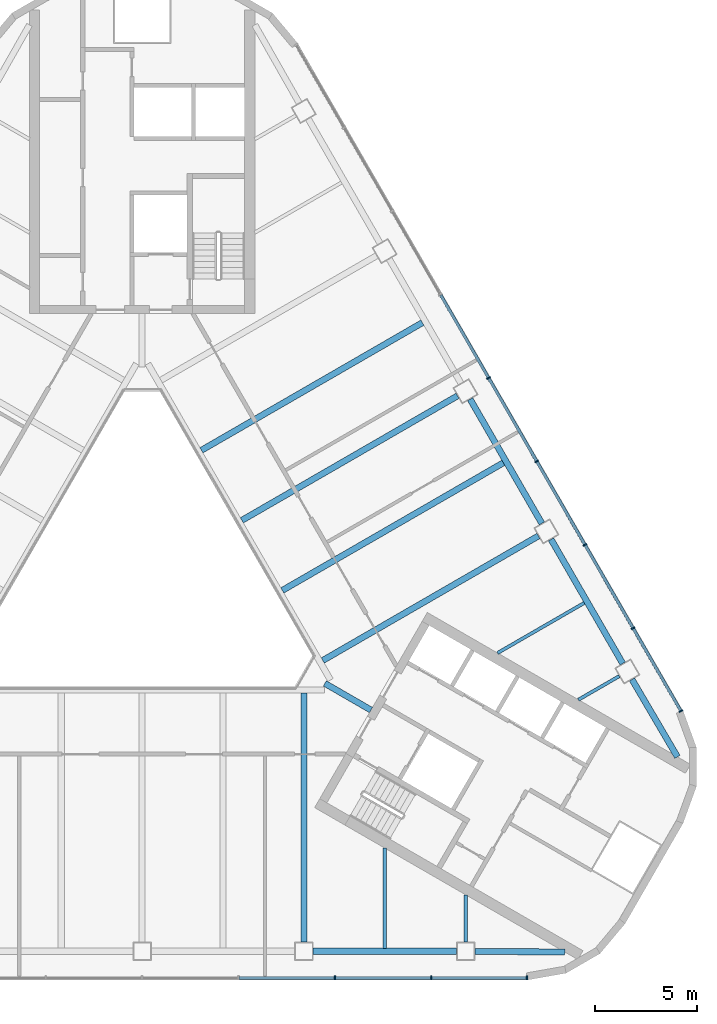
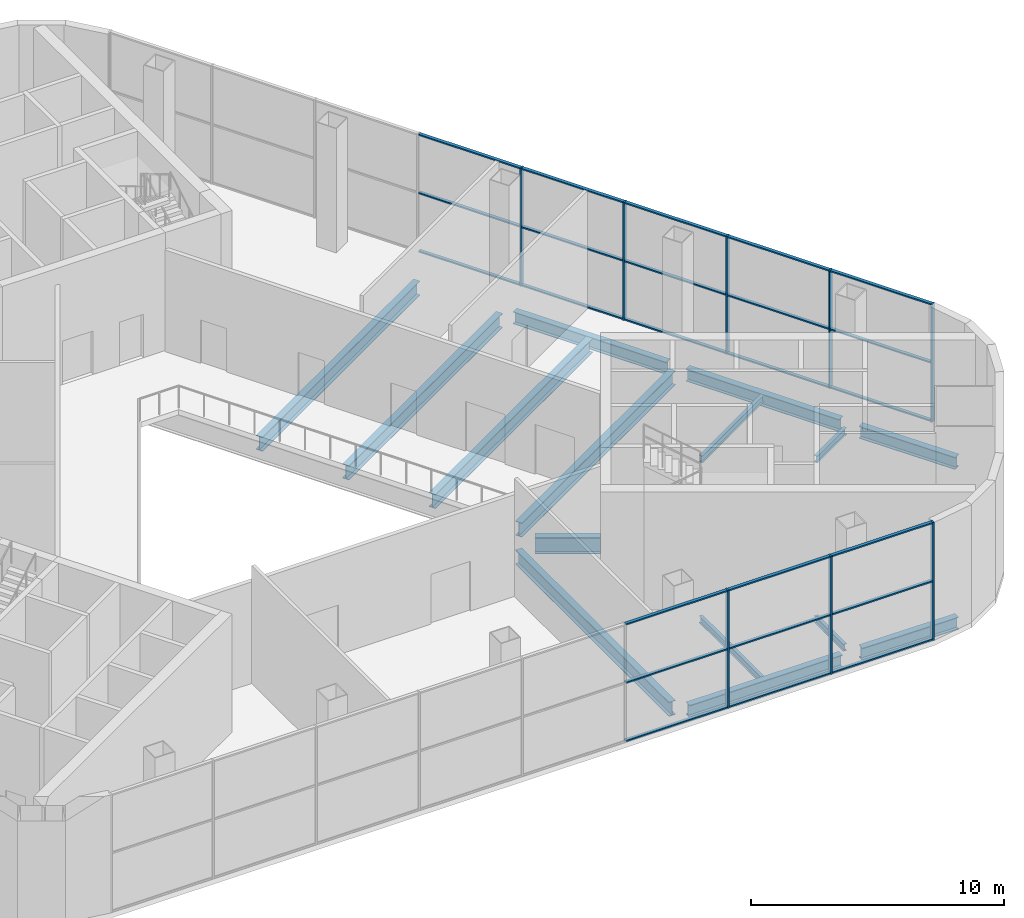
# One storey, part 4 of 14: 32 members, 15 beams, 2 elements without a shape of their own.
"""IFC4 building model written with IfcOpenShell, lengths in metres."""

import ifcopenshell
import ifcopenshell.guid

model = None  # the IFC model being written
_history = None  # IfcOwnerHistory: only IFC2X3 demands one
_inside = {}  # id of a spatial element -> (the spatial element, [elements in it])
_under = {}  # id of a project, library or spatial element -> (it, [spatial elements below it])
_declared = {}  # id of a project -> (the project, [libraries it declares])
_typed = {}  # id of a type object -> (the type object, [elements of that type])
_made_of = {}  # id of a material, layer set ... -> (it, [elements and type objects made of it])


def new_model(schema):
    """Start an empty IFC model of exactly this schema.

    Asked for "IFC4X3", IfcOpenShell would pick the latest addendum, in which some entities
    have other attributes; the version numbers below select the first issue.
    IFC2X3 requires an IfcOwnerHistory on every rooted entity: one is made here for all.
    """
    global model, _history
    if schema == "IFC4X3":
        model = ifcopenshell.file(schema_version=(4, 3, 0, 0))
    else:
        model = ifcopenshell.file(schema=schema)
    _inside.clear()
    _under.clear()
    _declared.clear()
    _typed.clear()
    _made_of.clear()
    _history = None
    if model.schema == "IFC2X3":
        org = make("IfcOrganization", Name="unknown")
        user = make(
            "IfcPersonAndOrganization",
            ThePerson=make("IfcPerson", FamilyName="unknown"),
            TheOrganization=org,
        )
        app = make(
            "IfcApplication",
            ApplicationDeveloper=org,
            Version="unknown",
            ApplicationFullName="unknown",
            ApplicationIdentifier="unknown",
        )
        _history = make(
            "IfcOwnerHistory",
            OwningUser=user,
            OwningApplication=app,
            ChangeAction="ADDED",
            CreationDate=0,
        )
    return model


def make(cls, **values):
    """One entity of the class cls with the attributes given. An attribute that is None is left unset."""
    return model.create_entity(
        cls, **{name: value for name, value in values.items() if value is not None}
    )


def rooted(cls, **values):
    """An entity with a GlobalId (a new one), such as an element, a storey or a relation."""
    return make(cls, GlobalId=ifcopenshell.guid.new(), OwnerHistory=_history, **values)


def si_unit(unit_type, name, prefix=None):
    """IfcSIUnit, for example si_unit("LENGTHUNIT", "METRE", prefix="MILLI")."""
    return make("IfcSIUnit", UnitType=unit_type, Prefix=prefix, Name=name)


def assignment(units):
    """IfcUnitAssignment: the units of a project."""
    return None if units is None else make("IfcUnitAssignment", Units=units)


def point(xyz):
    """IfcCartesianPoint."""
    return None if xyz is None else make("IfcCartesianPoint", Coordinates=xyz)


def direction(xyz):
    """IfcDirection."""
    return None if xyz is None else make("IfcDirection", DirectionRatios=xyz)


def frame(location, z_axis=None, x_axis=None):
    """IfcAxis2Placement3D, a coordinate frame: its origin and axes. An axis left out is left unset."""
    return make(
        "IfcAxis2Placement3D",
        Location=point(location),
        Axis=direction(z_axis),
        RefDirection=direction(x_axis),
    )


def frame_2d(location, x_axis=None):
    """IfcAxis2Placement2D, a coordinate frame in the plane: its origin and x axis."""
    return make(
        "IfcAxis2Placement2D", Location=point(location), RefDirection=direction(x_axis)
    )


def origin():
    """The frame at (0, 0, 0) with its axes left unset."""
    return frame((0.0, 0.0, 0.0))


def origin_2d():
    """The frame at (0, 0) in the plane with its x axis left unset."""
    return frame_2d((0.0, 0.0))


def place(relative_to, where):
    """IfcLocalPlacement: puts the frame where relative to a parent placement (None: the world)."""
    return make(
        "IfcLocalPlacement", PlacementRelTo=relative_to, RelativePlacement=where
    )


def context(
    kind, dimensions, precision=None, world=None, true_north=None, identifier=None
):
    """IfcGeometricRepresentationContext, for example the 3D "Model" context."""
    return make(
        "IfcGeometricRepresentationContext",
        ContextIdentifier=identifier,
        ContextType=kind,
        CoordinateSpaceDimension=dimensions,
        Precision=precision,
        WorldCoordinateSystem=world,
        TrueNorth=true_north,
    )


def subcontext(parent, identifier, kind, view, scale=None):
    """IfcGeometricRepresentationSubContext, for example "Body" below "Model"."""
    return make(
        "IfcGeometricRepresentationSubContext",
        ContextIdentifier=identifier,
        ContextType=kind,
        ParentContext=parent,
        TargetScale=scale,
        TargetView=view,
    )


def project(units=None, contexts=None):
    """IfcProject with its units and contexts."""
    return rooted(
        "IfcProject",
        Name="project",
        RepresentationContexts=contexts,
        UnitsInContext=assignment(units),
    )


def spatial(cls, under=None, at=None, **own):
    """A site, building, storey or space (cls), placed at a placement, below another one or the project."""
    s = rooted(cls, ObjectPlacement=at, **own)
    if under is not None:
        _under.setdefault(under.id(), (under, []))[1].append(s)
    return s


def profile(cls, at=None, kind="AREA", **sizes):
    """A parametric profile (cls). Its sizes go by their IFC names, for example OverallWidth=200.0."""
    return make(cls, ProfileType=kind, Position=at, **sizes)


def rectangle(**sizes):
    """IfcRectangleProfileDef."""
    return profile("IfcRectangleProfileDef", **sizes)


def i_section(**sizes):
    """IfcIShapeProfileDef."""
    return profile("IfcIShapeProfileDef", **sizes)


def extrude(swept, where, along, depth):
    """IfcExtrudedAreaSolid: the profile swept, set in the frame where, extruded along a direction by depth."""
    return make(
        "IfcExtrudedAreaSolid",
        SweptArea=swept,
        Position=where,
        ExtrudedDirection=direction(along),
        Depth=depth,
    )


def shape(context_of_items, identifier, shape_type, items):
    """IfcShapeRepresentation: the items that make up one representation, for example the "Body"."""
    return make(
        "IfcShapeRepresentation",
        ContextOfItems=context_of_items,
        RepresentationIdentifier=identifier,
        RepresentationType=shape_type,
        Items=items,
    )


def material(Name=None, Category=None):
    """IfcMaterial."""
    return make("IfcMaterial", Name=Name, Category=Category)


def layer(
    of_material, thickness, ventilated=None, Name=None, Category=None, Priority=None
):
    """IfcMaterialLayer: one layer of a wall or slab, of a material (None: an air gap)."""
    return make(
        "IfcMaterialLayer",
        Material=of_material,
        LayerThickness=thickness,
        IsVentilated=ventilated,
        Name=Name,
        Category=Category,
        Priority=Priority,
    )


def layer_set(layers, Name=None):
    """IfcMaterialLayerSet."""
    return make("IfcMaterialLayerSet", MaterialLayers=layers, LayerSetName=Name)


def material_profile(
    of_material, cross_section, Name=None, Category=None, Priority=None
):
    """IfcMaterialProfile: a cross section and its material."""
    return make(
        "IfcMaterialProfile",
        Name=Name,
        Material=of_material,
        Profile=cross_section,
        Priority=Priority,
        Category=Category,
    )


def profile_set(profiles, Name=None, composite=None):
    """IfcMaterialProfileSet."""
    return make(
        "IfcMaterialProfileSet",
        Name=Name,
        MaterialProfiles=profiles,
        CompositeProfile=composite,
    )


def made_of(thing, what):
    """Note that an element or type object is made of a material, layer set ...; save() writes the relation."""
    if what is not None:
        _made_of.setdefault(what.id(), (what, []))[1].append(thing)
    return thing


def type_object(cls, material=None, **own):
    """A type object (cls), such as IfcWallType, which elements share."""
    return made_of(rooted(cls, **own), material)


def element(
    cls,
    number,
    at=None,
    inside=None,
    cuts=None,
    type_object=None,
    material=None,
    context=None,
    identifier="Body",
    shape_type=None,
    held_by="IfcProductDefinitionShape",
    body=None,
    shapes=None,
    **own,
):
    """One element of the class cls, such as IfcWall. Its Tag is "e" and its number.

    at: its placement. inside: the storey or other place that contains it. cuts: it is an
    opening in that element (IfcRelVoidsElement). A single representation is given by context,
    identifier, shape_type and body (its items); several are given by shapes. held_by: the class
    of the entity that holds the representations. save() writes the other relations.
    """
    e = rooted(cls, Tag="e%d" % number, ObjectPlacement=at, **own)
    if body is not None:
        shapes = [shape(context, identifier, shape_type, body)]
    if shapes is not None:
        e.Representation = make(held_by, Representations=shapes)
    if inside is not None:
        _inside.setdefault(inside.id(), (inside, []))[1].append(e)
    if cuts is not None:
        rooted(
            "IfcRelVoidsElement", RelatingBuildingElement=cuts, RelatedOpeningElement=e
        )
    if type_object is not None:
        _typed.setdefault(type_object.id(), (type_object, []))[1].append(e)
    return made_of(e, material)


def aggregate(whole, parts):
    """IfcRelAggregates: a whole, such as a stair, and the parts it consists of."""
    return rooted("IfcRelAggregates", RelatingObject=whole, RelatedObjects=parts)


def save(model, path):
    """Write the relations noted so far, then the file.

    IfcRelAggregates (storeys below a building ...), IfcRelContainedInSpatialStructure (elements
    in a storey), IfcRelDefinesByType, IfcRelAssociatesMaterial and IfcRelDeclares: one each for
    every whole, place, type object, material and project.
    """
    for whole, parts in _under.values():
        aggregate(whole, parts)
    for where, things in _inside.values():
        rooted(
            "IfcRelContainedInSpatialStructure",
            RelatedElements=things,
            RelatingStructure=where,
        )
    for kind, things in _typed.values():
        rooted("IfcRelDefinesByType", RelatedObjects=things, RelatingType=kind)
    for what, things in _made_of.values():
        rooted("IfcRelAssociatesMaterial", RelatedObjects=things, RelatingMaterial=what)
    for by, libraries in _declared.values():
        rooted("IfcRelDeclares", RelatingContext=by, RelatedDefinitions=libraries)
    model.write(path)


model = new_model("IFC4")

# Units and contexts
model_context = context("Model", 3, precision=1e-05, world=origin(), true_north=direction((0.0, 1.0)))
body_context = subcontext(model_context, "Body", "Model", "MODEL_VIEW")
ifc_project = project(units=[si_unit("LENGTHUNIT", "METRE"), si_unit("AREAUNIT", "SQUARE_METRE"), si_unit("VOLUMEUNIT", "CUBIC_METRE"), si_unit("PLANEANGLEUNIT", "RADIAN"), si_unit("MASSUNIT", "GRAM", prefix="KILO")], contexts=[model_context])

# Site, building, storey
site_placement = place(None, origin())
site = spatial("IfcSite", under=ifc_project, at=site_placement, CompositionType="ELEMENT")
building_placement = place(site_placement, origin())
building = spatial("IfcBuilding", under=site, at=building_placement, Name="Apuvela Tower Hotel", CompositionType="ELEMENT")
storey_placement = place(building_placement, frame((0.0, 0.0, 131.60009765625)))
storey = spatial("IfcBuildingStorey", under=building, at=storey_placement, Name="L31", CompositionType="ELEMENT", Elevation=131.60009765625)

# Curtain wall, members
ifc_material_1 = material(Name="Aluminium 6063-T6, dark bronze anodised", Category="aluminium")
ifc_layer = layer(ifc_material_1, 0.199951171875)
ifc_layer_set = layer_set([ifc_layer], Name="ENV-CW-S")
curtain_wall_type = type_object("IfcCurtainWallType", Name="ENV-CW-S", PredefinedType="NOTDEFINED", material=ifc_layer_set)
curtain_wall_1_placement = place(storey_placement, origin())
curtain_wall_1 = element("IfcCurtainWall", 1, at=curtain_wall_1_placement, inside=storey, type_object=curtain_wall_type, Name="Curtain wall CW-S S L31", PredefinedType="NOTDEFINED")
ifc_material_profile_1 = material_profile(ifc_material_1, rectangle(XDim=0.199951171875, YDim=0.06494140625, at=origin_2d()), Name="AL 65x200")
ifc_profile_set_1 = profile_set([ifc_material_profile_1], Name="Aluminium 6063-T6, dark bronze anodised")
member_type_1 = type_object("IfcMemberType", Name="ENV-MULLION-65x200", PredefinedType="MULLION", material=ifc_profile_set_1)
member_1_placement = place(storey_placement, frame((9.407958984375, -19.530029296875, 0.0), z_axis=(0.0, 0.0, 1.0), x_axis=(0.0, 1.0, 0.0)))
member_1 = element("IfcMember", 2, at=member_1_placement, type_object=member_type_1, Name="CW-S mullion 7", PredefinedType="MULLION", context=body_context, shape_type="SweptSolid", body=[
    extrude(rectangle(XDim=0.199951171875, YDim=0.06494140625, at=origin_2d()), origin(), (0.0, 0.0, 1.0), 5.699951171875),
])
member_2_placement = place(storey_placement, frame((14.11181640625, -19.530029296875, 0.0), z_axis=(0.0, 0.0, 1.0), x_axis=(0.0, 1.0, 0.0)))
member_2 = element("IfcMember", 3, at=member_2_placement, type_object=member_type_1, Name="CW-S mullion 8", PredefinedType="MULLION", context=body_context, shape_type="SweptSolid", body=[
    extrude(rectangle(XDim=0.199951171875, YDim=0.06494140625, at=origin_2d()), origin(), (0.0, 0.0, 1.0), 5.699951171875),
])
member_3_placement = place(storey_placement, frame((18.783203125, -19.530029296875, 0.0), z_axis=(0.0, 0.0, 1.0), x_axis=(0.0, 1.0, 0.0)))
member_3 = element("IfcMember", 4, at=member_3_placement, type_object=member_type_1, Name="CW-S mullion 9", PredefinedType="MULLION", context=body_context, shape_type="SweptSolid", body=[
    extrude(rectangle(XDim=0.199951171875, YDim=0.06494140625, at=origin_2d()), origin(), (0.0, 0.0, 1.0), 5.699951171875),
])

curtain_wall_2_placement = place(storey_placement, origin())
curtain_wall_2 = element("IfcCurtainWall", 5, at=curtain_wall_2_placement, inside=storey, type_object=curtain_wall_type, Name="Curtain wall CW-S NE L31", PredefinedType="NOTDEFINED")
member_4_placement = place(storey_placement, frame((26.30517578125, -6.501953125, 0.0), z_axis=(0.0, 0.0, 1.0), x_axis=(-0.866025924721, -0.49999909771, 0.0)))
member_4 = element("IfcMember", 6, at=member_4_placement, type_object=member_type_1, Name="CW-S mullion 1", PredefinedType="MULLION", context=body_context, shape_type="SweptSolid", body=[
    extrude(rectangle(XDim=0.199951171875, YDim=0.06494140625, at=origin_2d()), origin(), (0.0, 0.0, 1.0), 5.699951171875),
])
member_5_placement = place(storey_placement, frame((23.969482421875, -2.456298828125, 0.0), z_axis=(0.0, 0.0, 1.0), x_axis=(-0.866025924721, -0.49999909771, 0.0)))
member_5 = element("IfcMember", 7, at=member_5_placement, type_object=member_type_1, Name="CW-S mullion 2", PredefinedType="MULLION", context=body_context, shape_type="SweptSolid", body=[
    extrude(rectangle(XDim=0.199951171875, YDim=0.06494140625, at=origin_2d()), origin(), (0.0, 0.0, 1.0), 5.699951171875),
])
member_6_placement = place(storey_placement, frame((21.617431640625, 1.617431640625, 0.0), z_axis=(0.0, 0.0, 1.0), x_axis=(-0.866025924721, -0.49999909771, 0.0)))
member_6 = element("IfcMember", 8, at=member_6_placement, type_object=member_type_1, Name="CW-S mullion 3", PredefinedType="MULLION", context=body_context, shape_type="SweptSolid", body=[
    extrude(rectangle(XDim=0.199951171875, YDim=0.06494140625, at=origin_2d()), origin(), (0.0, 0.0, 1.0), 5.699951171875),
])
member_7_placement = place(storey_placement, frame((19.265380859375, 5.691162109375, 0.0), z_axis=(0.0, 0.0, 1.0), x_axis=(-0.866025924721, -0.49999909771, 0.0)))
member_7 = element("IfcMember", 9, at=member_7_placement, type_object=member_type_1, Name="CW-S mullion 4", PredefinedType="MULLION", context=body_context, shape_type="SweptSolid", body=[
    extrude(rectangle(XDim=0.199951171875, YDim=0.06494140625, at=origin_2d()), origin(), (0.0, 0.0, 1.0), 5.699951171875),
])
member_8_placement = place(storey_placement, frame((16.91357421875, 9.764892578125, 0.0), z_axis=(0.0, 0.0, 1.0), x_axis=(-0.866025924721, -0.49999909771, 0.0)))
member_8 = element("IfcMember", 10, at=member_8_placement, type_object=member_type_1, Name="CW-S mullion 5", PredefinedType="MULLION", context=body_context, shape_type="SweptSolid", body=[
    extrude(rectangle(XDim=0.199951171875, YDim=0.06494140625, at=origin_2d()), origin(), (0.0, 0.0, 1.0), 5.699951171875),
])

# Member
ifc_material_profile_2 = material_profile(ifc_material_1, rectangle(XDim=0.14990234375, YDim=0.06494140625, at=origin_2d()), Name="AL 65x150 transom")
ifc_profile_set_2 = profile_set([ifc_material_profile_2], Name="Aluminium 6063-T6, dark bronze anodised")
member_type_2 = type_object("IfcMemberType", Name="ENV-TRANSOM-65x150", PredefinedType="USERDEFINED", material=ifc_profile_set_2)
member_9_placement = place(storey_placement, frame((4.736328125, -19.530029296875, 0.032470703125), z_axis=(1.0, 0.0, 0.0), x_axis=(0.0, 1.0, 0.0)))
member_9 = element("IfcMember", 11, at=member_9_placement, type_object=member_type_2, Name="CW-S transom 6.1", ObjectType="TRANSOM", PredefinedType="USERDEFINED", context=body_context, shape_type="SweptSolid", body=[
    extrude(rectangle(XDim=0.14990234375, YDim=0.06494140625, at=origin_2d()), origin(), (0.0, 0.0, 1.0), 4.63916015625),
])

member_10_placement = place(storey_placement, frame((4.736328125, -19.530029296875, 2.849853515625), z_axis=(1.0, 0.0, 0.0), x_axis=(0.0, 1.0, 0.0)))
member_10 = element("IfcMember", 12, at=member_10_placement, type_object=member_type_2, Name="CW-S transom 6.2", ObjectType="TRANSOM", PredefinedType="USERDEFINED", context=body_context, shape_type="SweptSolid", body=[
    extrude(rectangle(XDim=0.14990234375, YDim=0.06494140625, at=origin_2d()), origin(), (0.0, 0.0, 1.0), 4.63916015625),
])

member_11_placement = place(storey_placement, frame((4.736328125, -19.530029296875, 5.66748046875), z_axis=(1.0, 0.0, 0.0), x_axis=(0.0, 1.0, 0.0)))
member_11 = element("IfcMember", 13, at=member_11_placement, type_object=member_type_2, Name="CW-S transom 6.3", ObjectType="TRANSOM", PredefinedType="USERDEFINED", context=body_context, shape_type="SweptSolid", body=[
    extrude(rectangle(XDim=0.14990234375, YDim=0.06494140625, at=origin_2d()), origin(), (0.0, 0.0, 1.0), 4.63916015625),
])

member_12_placement = place(storey_placement, frame((9.4404296875, -19.530029296875, 0.032470703125), z_axis=(1.0, 0.0, 0.0), x_axis=(0.0, 1.0, 0.0)))
member_12 = element("IfcMember", 14, at=member_12_placement, type_object=member_type_2, Name="CW-S transom 7.1", ObjectType="TRANSOM", PredefinedType="USERDEFINED", context=body_context, shape_type="SweptSolid", body=[
    extrude(rectangle(XDim=0.14990234375, YDim=0.06494140625, at=origin_2d()), origin(), (0.0, 0.0, 1.0), 4.638916015625),
])

member_13_placement = place(storey_placement, frame((9.4404296875, -19.530029296875, 2.849853515625), z_axis=(1.0, 0.0, 0.0), x_axis=(0.0, 1.0, 0.0)))
member_13 = element("IfcMember", 15, at=member_13_placement, type_object=member_type_2, Name="CW-S transom 7.2", ObjectType="TRANSOM", PredefinedType="USERDEFINED", context=body_context, shape_type="SweptSolid", body=[
    extrude(rectangle(XDim=0.14990234375, YDim=0.06494140625, at=origin_2d()), origin(), (0.0, 0.0, 1.0), 4.638916015625),
])

member_14_placement = place(storey_placement, frame((9.4404296875, -19.530029296875, 5.66748046875), z_axis=(1.0, 0.0, 0.0), x_axis=(0.0, 1.0, 0.0)))
member_14 = element("IfcMember", 16, at=member_14_placement, type_object=member_type_2, Name="CW-S transom 7.3", ObjectType="TRANSOM", PredefinedType="USERDEFINED", context=body_context, shape_type="SweptSolid", body=[
    extrude(rectangle(XDim=0.14990234375, YDim=0.06494140625, at=origin_2d()), origin(), (0.0, 0.0, 1.0), 4.638916015625),
])

member_15_placement = place(storey_placement, frame((14.144287109375, -19.530029296875, 0.032470703125), z_axis=(1.0, 0.0, 0.0), x_axis=(0.0, 1.0, 0.0)))
member_15 = element("IfcMember", 17, at=member_15_placement, type_object=member_type_2, Name="CW-S transom 8.1", ObjectType="TRANSOM", PredefinedType="USERDEFINED", context=body_context, shape_type="SweptSolid", body=[
    extrude(rectangle(XDim=0.14990234375, YDim=0.06494140625, at=origin_2d()), origin(), (0.0, 0.0, 1.0), 4.6064453125),
])

member_16_placement = place(storey_placement, frame((14.144287109375, -19.530029296875, 2.849853515625), z_axis=(1.0, 0.0, 0.0), x_axis=(0.0, 1.0, 0.0)))
member_16 = element("IfcMember", 18, at=member_16_placement, type_object=member_type_2, Name="CW-S transom 8.2", ObjectType="TRANSOM", PredefinedType="USERDEFINED", context=body_context, shape_type="SweptSolid", body=[
    extrude(rectangle(XDim=0.14990234375, YDim=0.06494140625, at=origin_2d()), origin(), (0.0, 0.0, 1.0), 4.6064453125),
])

member_17_placement = place(storey_placement, frame((14.144287109375, -19.530029296875, 5.66748046875), z_axis=(1.0, 0.0, 0.0), x_axis=(0.0, 1.0, 0.0)))
member_17 = element("IfcMember", 19, at=member_17_placement, type_object=member_type_2, Name="CW-S transom 8.3", ObjectType="TRANSOM", PredefinedType="USERDEFINED", context=body_context, shape_type="SweptSolid", body=[
    extrude(rectangle(XDim=0.14990234375, YDim=0.06494140625, at=origin_2d()), origin(), (0.0, 0.0, 1.0), 4.6064453125),
])

aggregate(curtain_wall_1, [member_1, member_2, member_3, member_9, member_10, member_11, member_12, member_13, member_14, member_15, member_16, member_17])

member_18_placement = place(storey_placement, frame((26.288818359375, -6.4736328125, 0.032470703125), z_axis=(-0.500003839917, 0.866023186796, 0.0), x_axis=(-0.866023186796, -0.500003839917, 0.0)))
member_18 = element("IfcMember", 20, at=member_18_placement, type_object=member_type_2, Name="CW-S transom 1.1", ObjectType="TRANSOM", PredefinedType="USERDEFINED", context=body_context, shape_type="SweptSolid", body=[
    extrude(rectangle(XDim=0.14990234375, YDim=0.06494140625, at=origin_2d()), origin(), (0.0, 0.0, 1.0), 4.6064453125),
])

member_19_placement = place(storey_placement, frame((26.288818359375, -6.4736328125, 2.849853515625), z_axis=(-0.500003839917, 0.866023186796, 0.0), x_axis=(-0.866023186796, -0.500003839917, 0.0)))
member_19 = element("IfcMember", 21, at=member_19_placement, type_object=member_type_2, Name="CW-S transom 1.2", ObjectType="TRANSOM", PredefinedType="USERDEFINED", context=body_context, shape_type="SweptSolid", body=[
    extrude(rectangle(XDim=0.14990234375, YDim=0.06494140625, at=origin_2d()), origin(), (0.0, 0.0, 1.0), 4.6064453125),
])

member_20_placement = place(storey_placement, frame((26.288818359375, -6.4736328125, 5.66748046875), z_axis=(-0.500003839917, 0.866023186796, 0.0), x_axis=(-0.866023186796, -0.500003839917, 0.0)))
member_20 = element("IfcMember", 22, at=member_20_placement, type_object=member_type_2, Name="CW-S transom 1.3", ObjectType="TRANSOM", PredefinedType="USERDEFINED", context=body_context, shape_type="SweptSolid", body=[
    extrude(rectangle(XDim=0.14990234375, YDim=0.06494140625, at=origin_2d()), origin(), (0.0, 0.0, 1.0), 4.6064453125),
])

member_21_placement = place(storey_placement, frame((23.953125, -2.42822265625, 0.032470703125), z_axis=(-0.49996542187, 0.866045366557, 0.0), x_axis=(-0.866045366557, -0.49996542187, 0.0)))
member_21 = element("IfcMember", 23, at=member_21_placement, type_object=member_type_2, Name="CW-S transom 2.1", ObjectType="TRANSOM", PredefinedType="USERDEFINED", context=body_context, shape_type="SweptSolid", body=[
    extrude(rectangle(XDim=0.14990234375, YDim=0.06494140625, at=origin_2d()), origin(), (0.0, 0.0, 1.0), 4.638916015625),
])

member_22_placement = place(storey_placement, frame((23.953125, -2.42822265625, 2.849853515625), z_axis=(-0.49996542187, 0.866045366557, 0.0), x_axis=(-0.866045366557, -0.49996542187, 0.0)))
member_22 = element("IfcMember", 24, at=member_22_placement, type_object=member_type_2, Name="CW-S transom 2.2", ObjectType="TRANSOM", PredefinedType="USERDEFINED", context=body_context, shape_type="SweptSolid", body=[
    extrude(rectangle(XDim=0.14990234375, YDim=0.06494140625, at=origin_2d()), origin(), (0.0, 0.0, 1.0), 4.638916015625),
])

member_23_placement = place(storey_placement, frame((23.953125, -2.42822265625, 5.66748046875), z_axis=(-0.49996542187, 0.866045366557, 0.0), x_axis=(-0.866045366557, -0.49996542187, 0.0)))
member_23 = element("IfcMember", 25, at=member_23_placement, type_object=member_type_2, Name="CW-S transom 2.3", ObjectType="TRANSOM", PredefinedType="USERDEFINED", context=body_context, shape_type="SweptSolid", body=[
    extrude(rectangle(XDim=0.14990234375, YDim=0.06494140625, at=origin_2d()), origin(), (0.0, 0.0, 1.0), 4.638916015625),
])

member_24_placement = place(storey_placement, frame((21.601318359375, 1.645751953125, 0.032470703125), z_axis=(-0.500027682067, 0.866009420946, 0.0), x_axis=(-0.866009420946, -0.500027682067, 0.0)))
member_24 = element("IfcMember", 26, at=member_24_placement, type_object=member_type_2, Name="CW-S transom 3.1", ObjectType="TRANSOM", PredefinedType="USERDEFINED", context=body_context, shape_type="SweptSolid", body=[
    extrude(rectangle(XDim=0.14990234375, YDim=0.06494140625, at=origin_2d()), origin(), (0.0, 0.0, 1.0), 4.638916015625),
])

member_25_placement = place(storey_placement, frame((21.601318359375, 1.645751953125, 2.849853515625), z_axis=(-0.500027682067, 0.866009420946, 0.0), x_axis=(-0.866009420946, -0.500027682067, 0.0)))
member_25 = element("IfcMember", 27, at=member_25_placement, type_object=member_type_2, Name="CW-S transom 3.2", ObjectType="TRANSOM", PredefinedType="USERDEFINED", context=body_context, shape_type="SweptSolid", body=[
    extrude(rectangle(XDim=0.14990234375, YDim=0.06494140625, at=origin_2d()), origin(), (0.0, 0.0, 1.0), 4.638916015625),
])

member_26_placement = place(storey_placement, frame((21.601318359375, 1.645751953125, 5.66748046875), z_axis=(-0.500027682067, 0.866009420946, 0.0), x_axis=(-0.866009420946, -0.500027682067, 0.0)))
member_26 = element("IfcMember", 28, at=member_26_placement, type_object=member_type_2, Name="CW-S transom 3.3", ObjectType="TRANSOM", PredefinedType="USERDEFINED", context=body_context, shape_type="SweptSolid", body=[
    extrude(rectangle(XDim=0.14990234375, YDim=0.06494140625, at=origin_2d()), origin(), (0.0, 0.0, 1.0), 4.638916015625),
])

member_27_placement = place(storey_placement, frame((19.249267578125, 5.719482421875, 0.032470703125), z_axis=(-0.500027682067, 0.866009420946, 0.0), x_axis=(-0.866009420946, -0.500027682067, 0.0)))
member_27 = element("IfcMember", 29, at=member_27_placement, type_object=member_type_2, Name="CW-S transom 4.1", ObjectType="TRANSOM", PredefinedType="USERDEFINED", context=body_context, shape_type="SweptSolid", body=[
    extrude(rectangle(XDim=0.14990234375, YDim=0.06494140625, at=origin_2d()), origin(), (0.0, 0.0, 1.0), 4.638916015625),
])

member_28_placement = place(storey_placement, frame((19.249267578125, 5.719482421875, 2.849853515625), z_axis=(-0.500027682067, 0.866009420946, 0.0), x_axis=(-0.866009420946, -0.500027682067, 0.0)))
member_28 = element("IfcMember", 30, at=member_28_placement, type_object=member_type_2, Name="CW-S transom 4.2", ObjectType="TRANSOM", PredefinedType="USERDEFINED", context=body_context, shape_type="SweptSolid", body=[
    extrude(rectangle(XDim=0.14990234375, YDim=0.06494140625, at=origin_2d()), origin(), (0.0, 0.0, 1.0), 4.638916015625),
])

member_29_placement = place(storey_placement, frame((19.249267578125, 5.719482421875, 5.66748046875), z_axis=(-0.500027682067, 0.866009420946, 0.0), x_axis=(-0.866009420946, -0.500027682067, 0.0)))
member_29 = element("IfcMember", 31, at=member_29_placement, type_object=member_type_2, Name="CW-S transom 4.3", ObjectType="TRANSOM", PredefinedType="USERDEFINED", context=body_context, shape_type="SweptSolid", body=[
    extrude(rectangle(XDim=0.14990234375, YDim=0.06494140625, at=origin_2d()), origin(), (0.0, 0.0, 1.0), 4.638916015625),
])

member_30_placement = place(storey_placement, frame((16.897216796875, 9.793212890625, 0.032470703125), z_axis=(-0.499988210251, 0.866032210492, 0.0), x_axis=(-0.866032210492, -0.499988210251, 0.0)))
member_30 = element("IfcMember", 32, at=member_30_placement, type_object=member_type_2, Name="CW-S transom 5.1", ObjectType="TRANSOM", PredefinedType="USERDEFINED", context=body_context, shape_type="SweptSolid", body=[
    extrude(rectangle(XDim=0.14990234375, YDim=0.06494140625, at=origin_2d()), origin(), (0.0, 0.0, 1.0), 4.638671875),
])

member_31_placement = place(storey_placement, frame((16.897216796875, 9.793212890625, 2.849853515625), z_axis=(-0.499988210251, 0.866032210492, 0.0), x_axis=(-0.866032210492, -0.499988210251, 0.0)))
member_31 = element("IfcMember", 33, at=member_31_placement, type_object=member_type_2, Name="CW-S transom 5.2", ObjectType="TRANSOM", PredefinedType="USERDEFINED", context=body_context, shape_type="SweptSolid", body=[
    extrude(rectangle(XDim=0.14990234375, YDim=0.06494140625, at=origin_2d()), origin(), (0.0, 0.0, 1.0), 4.638671875),
])

member_32_placement = place(storey_placement, frame((16.897216796875, 9.793212890625, 5.66748046875), z_axis=(-0.499988210251, 0.866032210492, 0.0), x_axis=(-0.866032210492, -0.499988210251, 0.0)))
member_32 = element("IfcMember", 34, at=member_32_placement, type_object=member_type_2, Name="CW-S transom 5.3", ObjectType="TRANSOM", PredefinedType="USERDEFINED", context=body_context, shape_type="SweptSolid", body=[
    extrude(rectangle(XDim=0.14990234375, YDim=0.06494140625, at=origin_2d()), origin(), (0.0, 0.0, 1.0), 4.638671875),
])

aggregate(curtain_wall_2, [member_4, member_5, member_6, member_7, member_8, member_18, member_19, member_20, member_21, member_22, member_23, member_24, member_25, member_26, member_27, member_28, member_29, member_30, member_31, member_32])

# Beams
ifc_material_2 = material(Name="Steel S355", Category="steel")
ifc_material_profile_3 = material_profile(ifc_material_2, i_section(OverallWidth=0.300048828125, OverallDepth=0.68994140625, WebThickness=0.014404296875, FlangeThickness=0.027099609375, at=origin_2d()), Name="HE 700 A")
ifc_profile_set_3 = profile_set([ifc_material_profile_3], Name="Steel S355")
beam_type_1 = type_object("IfcBeamType", Name="STR-B floor beam HE 700 A", PredefinedType="BEAM", material=ifc_profile_set_3)
beam_1_placement = place(storey_placement, frame((19.347900390625, 2.04833984375, -0.59521484375), z_axis=(-0.866028751965, -0.499994200737, 0.0), x_axis=(0.499994200737, -0.866028751965, 0.0)))
element("IfcBeam", 35, at=beam_1_placement, inside=storey, type_object=beam_type_1, Name="Floor beam B6 NE3", PredefinedType="BEAM", context=body_context, shape_type="SweptSolid", body=[
    extrude(i_section(OverallWidth=0.300048828125, OverallDepth=0.68994140625, WebThickness=0.014404296875, FlangeThickness=0.027099609375, at=origin_2d()), origin(), (0.0, 0.0, 1.0), 12.157958984375),
])
beam_2_placement = place(storey_placement, frame((17.6328125, 5.619140625, -0.59521484375), z_axis=(-0.866027636335, -0.499996133089, 0.0), x_axis=(0.499996133089, -0.866027636335, 0.0)))
element("IfcBeam", 36, at=beam_2_placement, inside=storey, type_object=beam_type_1, Name="Floor beam B6 NE4", PredefinedType="BEAM", context=body_context, shape_type="SweptSolid", body=[
    extrude(i_section(OverallWidth=0.300048828125, OverallDepth=0.68994140625, WebThickness=0.014404296875, FlangeThickness=0.027099609375, at=origin_2d()), origin(), (0.0, 0.0, 1.0), 12.4580078125),
])
beam_3_placement = place(storey_placement, frame((15.39794921875, 8.889892578125, -0.59521484375), z_axis=(-0.866028751965, -0.499994200737, 0.0), x_axis=(0.499994200737, -0.866028751965, 0.0)))
element("IfcBeam", 37, at=beam_3_placement, inside=storey, type_object=beam_type_1, Name="Floor beam B6 NE5", PredefinedType="BEAM", context=body_context, shape_type="SweptSolid", body=[
    extrude(i_section(OverallWidth=0.300048828125, OverallDepth=0.68994140625, WebThickness=0.014404296875, FlangeThickness=0.027099609375, at=origin_2d()), origin(), (0.0, 0.0, 1.0), 12.157958984375),
])
beam_4_placement = place(storey_placement, frame((13.6826171875, 12.460693359375, -0.59521484375), z_axis=(-0.866022737053, -0.500004618886, 0.0), x_axis=(0.500004618886, -0.866022737053, 0.0)))
element("IfcBeam", 38, at=beam_4_placement, inside=storey, type_object=beam_type_1, Name="Floor beam B6 NE6", PredefinedType="BEAM", context=body_context, shape_type="SweptSolid", body=[
    extrude(i_section(OverallWidth=0.300048828125, OverallDepth=0.68994140625, WebThickness=0.014404296875, FlangeThickness=0.027099609375, at=origin_2d()), origin(), (0.0, 0.0, 1.0), 12.4580078125),
])
beam_5_placement = place(storey_placement, frame((7.89990234375, -17.780029296875, -0.59521484375), z_axis=(0.0, 1.0, 0.0), x_axis=(-1.0, 0.0, 0.0)))
element("IfcBeam", 39, at=beam_5_placement, inside=storey, type_object=beam_type_1, Name="Floor beam B6 S7", PredefinedType="BEAM", context=body_context, shape_type="SweptSolid", body=[
    extrude(i_section(OverallWidth=0.300048828125, OverallDepth=0.68994140625, WebThickness=0.014404296875, FlangeThickness=0.027099609375, at=origin_2d()), origin(), (0.0, 0.0, 1.0), 12.157958984375),
])
ifc_material_profile_4 = material_profile(ifc_material_2, i_section(OverallWidth=0.159912109375, OverallDepth=0.330078125, WebThickness=0.007568359375, FlangeThickness=0.011474609375, at=origin_2d()), Name="IPE 330")
ifc_profile_set_4 = profile_set([ifc_material_profile_4], Name="Steel S355")
beam_type_2 = type_object("IfcBeamType", Name="STR-B floor beam IPE 330", PredefinedType="BEAM", material=ifc_profile_set_4)
beam_6_placement = place(storey_placement, frame((23.2978515625, -4.793212890625, -0.4150390625), z_axis=(-0.866000531106, -0.500043078269, 0.0), x_axis=(0.500043078269, -0.866000531106, 0.0)))
element("IfcBeam", 40, at=beam_6_placement, inside=storey, type_object=beam_type_2, Name="Floor beam B1 NE1", PredefinedType="BEAM", context=body_context, shape_type="SweptSolid", body=[
    extrude(i_section(OverallWidth=0.159912109375, OverallDepth=0.330078125, WebThickness=0.007568359375, FlangeThickness=0.011474609375, at=origin_2d()), origin(), (0.0, 0.0, 1.0), 2.306884765625),
])
beam_7_placement = place(storey_placement, frame((21.582763671875, -1.222412109375, -0.4150390625), z_axis=(-0.866015056278, -0.500017921979, 0.0), x_axis=(0.500017921979, -0.866015056278, 0.0)))
element("IfcBeam", 41, at=beam_7_placement, inside=storey, type_object=beam_type_2, Name="Floor beam B1 NE2", PredefinedType="BEAM", context=body_context, shape_type="SweptSolid", body=[
    extrude(i_section(OverallWidth=0.159912109375, OverallDepth=0.330078125, WebThickness=0.007568359375, FlangeThickness=0.011474609375, at=origin_2d()), origin(), (0.0, 0.0, 1.0), 4.887451171875),
])
beam_8_placement = place(storey_placement, frame((11.85009765625, -18.080078125, -0.4150390625), z_axis=(0.0, 1.0, 0.0), x_axis=(-1.0, 0.0, 0.0)))
element("IfcBeam", 42, at=beam_8_placement, inside=storey, type_object=beam_type_2, Name="Floor beam B1 S8", PredefinedType="BEAM", context=body_context, shape_type="SweptSolid", body=[
    extrude(i_section(OverallWidth=0.159912109375, OverallDepth=0.330078125, WebThickness=0.007568359375, FlangeThickness=0.011474609375, at=origin_2d()), origin(), (0.0, 0.0, 1.0), 4.8876953125),
])
beam_9_placement = place(storey_placement, frame((15.800048828125, -17.780029296875, -0.4150390625), z_axis=(0.0, 1.0, 0.0), x_axis=(-1.0, 0.0, 0.0)))
element("IfcBeam", 43, at=beam_9_placement, inside=storey, type_object=beam_type_2, Name="Floor beam B1 S9", PredefinedType="BEAM", context=body_context, shape_type="SweptSolid", body=[
    extrude(i_section(OverallWidth=0.159912109375, OverallDepth=0.330078125, WebThickness=0.007568359375, FlangeThickness=0.011474609375, at=origin_2d()), origin(), (0.0, 0.0, 1.0), 2.30712890625),
])
ifc_material_profile_5 = material_profile(ifc_material_2, i_section(OverallWidth=0.300048828125, OverallDepth=0.800048828125, WebThickness=0.017578125, FlangeThickness=0.032958984375, at=origin_2d()), Name="HE 800 B")
ifc_profile_set_5 = profile_set([ifc_material_profile_5], Name="Steel S355")
beam_type_3 = type_object("IfcBeamType", Name="STR-GT core tie beam HE 800 B", PredefinedType="BEAM", material=ifc_profile_set_5)
beam_10_placement = place(storey_placement, frame((11.171630859375, -6.449951171875, -0.650146484375), z_axis=(-0.865997922154, 0.500047596559, 0.0), x_axis=(-0.500047596559, -0.865997922154, 0.0)))
element("IfcBeam", 44, at=beam_10_placement, inside=storey, type_object=beam_type_3, Name="Core tie beam GT1 SE", PredefinedType="BEAM", context=body_context, shape_type="SweptSolid", body=[
    extrude(i_section(OverallWidth=0.300048828125, OverallDepth=0.800048828125, WebThickness=0.017578125, FlangeThickness=0.032958984375, at=origin_2d()), origin(), (0.0, 0.0, 1.0), 2.599853515625),
])
ifc_material_profile_6 = material_profile(ifc_material_2, i_section(OverallWidth=0.300048828125, OverallDepth=0.590087890625, WebThickness=0.012939453125, FlangeThickness=0.02490234375, at=origin_2d()), Name="HE 600 A")
ifc_profile_set_6 = profile_set([ifc_material_profile_6], Name="Steel S355")
beam_type_4 = type_object("IfcBeamType", Name="STR-SB spandrel beam HE 600 A", PredefinedType="SPANDREL", material=ifc_profile_set_6)
for number, where, z_axis, x_axis, name in (
    (45, (8.35009765625, -18.22998046875, -0.545166015625), (1.0, 0.0, 0.0), (0.0, 1.0, 0.0), "Spandrel beam SB2 S4"),
    (46, (23.462646484375, -4.178466796875, -0.545166015625), (-0.499995173006, 0.866028190633, 0.0), (-0.866028190633, -0.499995173006, 0.0), "Spandrel beam SB2 NE1"),
    (47, (19.5126953125, 2.6630859375, -0.545166015625), (-0.499995173006, 0.866028190633, 0.0), (-0.866028190633, -0.499995173006, 0.0), "Spandrel beam SB2 NE2"),
):
    element("IfcBeam", number, at=place(storey_placement, frame(where, z_axis=z_axis, x_axis=x_axis)), inside=storey, type_object=beam_type_4, Name=name, PredefinedType="SPANDREL", context=body_context, shape_type="SweptSolid", body=[
        extrude(i_section(OverallWidth=0.300048828125, OverallDepth=0.590087890625, WebThickness=0.012939453125, FlangeThickness=0.02490234375, at=origin_2d()), origin(), (0.0, 0.0, 1.0), 7.0),
    ])
for number, where, z_axis, x_axis, name in (
    (48, (16.25, -18.233154296875, -0.545166015625), (0.999976528586, -0.006851443461, 0.0), (0.006851443461, 0.999976528586, 0.0), "Spandrel beam SB2 S5-SE"),
    (49, (23.915283203125, -4.956298828125, -0.545166015625), (0.505951068275, -0.862562181244, 0.0), (0.862562181244, 0.505951068275, 0.0), "Spandrel beam SB2 NE1-SE"),
):
    element("IfcBeam", number, at=place(storey_placement, frame(where, z_axis=z_axis, x_axis=x_axis)), inside=storey, type_object=beam_type_4, Name=name, PredefinedType="SPANDREL", context=body_context, shape_type="SweptSolid", body=[
        extrude(i_section(OverallWidth=0.300048828125, OverallDepth=0.590087890625, WebThickness=0.012939453125, FlangeThickness=0.02490234375, at=origin_2d()), origin(), (0.0, 0.0, 1.0), 4.3828125),
    ])

save(model, "model.ifc")
